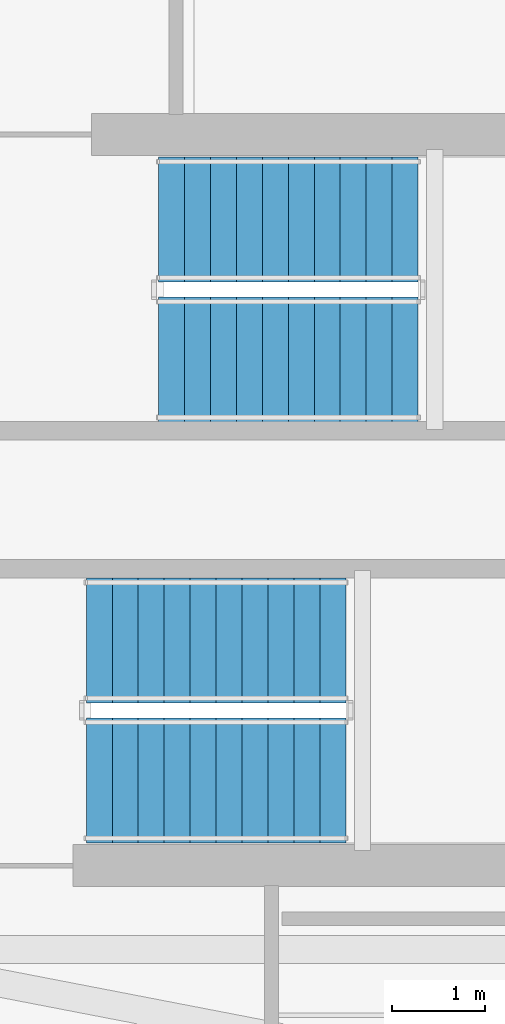
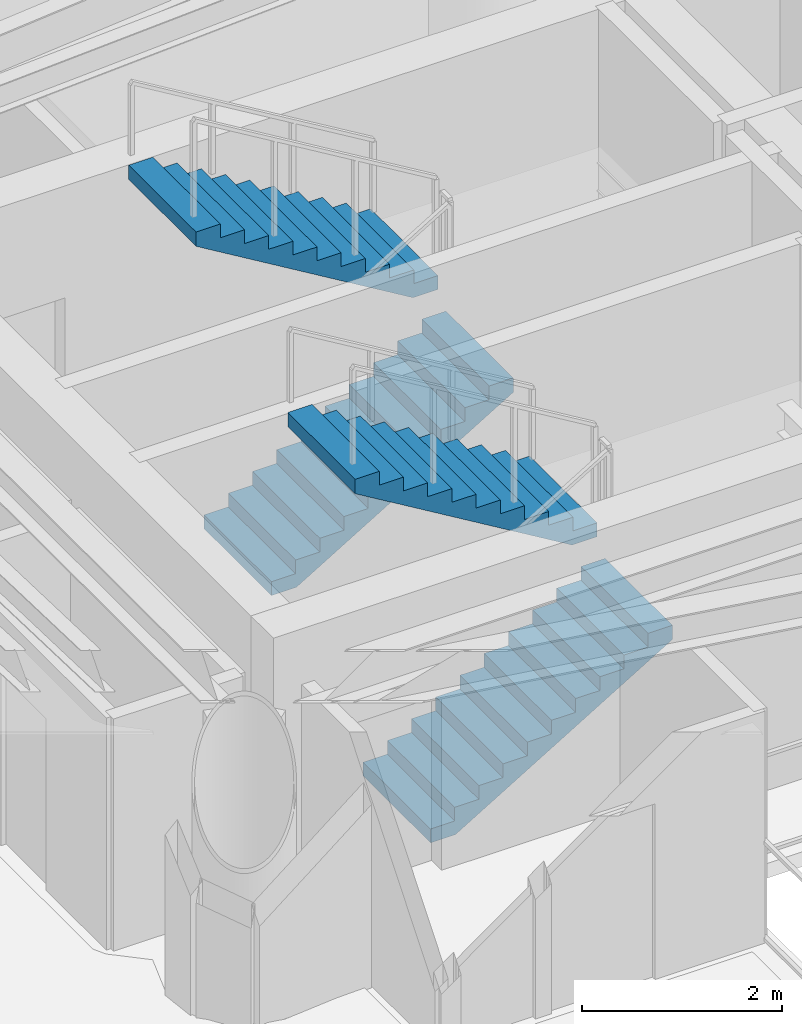
# One storey, part 17 of 21: 4 stair flights, 2 elements without a shape of their own.
"""IFC4 building model written with IfcOpenShell, lengths in metres."""

from ifc_helpers import new_model, si_unit, direction, frame, origin, place, context, subcontext, project, spatial, polyline, outline, extrude, material, type_object, element, aggregate, save


model = new_model("IFC4")

# Units and contexts
model_context = context("Model", 3, precision=1e-05, world=origin(), true_north=direction((0.0, 1.0)))
body_context = subcontext(model_context, "Body", "Model", "MODEL_VIEW")
ifc_project = project(units=[si_unit("LENGTHUNIT", "METRE"), si_unit("AREAUNIT", "SQUARE_METRE"), si_unit("VOLUMEUNIT", "CUBIC_METRE"), si_unit("PLANEANGLEUNIT", "RADIAN"), si_unit("MASSUNIT", "GRAM", prefix="KILO")], contexts=[model_context])

# Site, building, storey
site_placement = place(None, origin())
site = spatial("IfcSite", under=ifc_project, at=site_placement, CompositionType="ELEMENT")
building_placement = place(site_placement, origin())
building = spatial("IfcBuilding", under=site, at=building_placement, Name="Qianvela Tower", CompositionType="ELEMENT")
storey_placement = place(building_placement, frame((0.0, 0.0, 246.39990234375)))
storey = spatial("IfcBuildingStorey", under=building, at=storey_placement, Name="L63", CompositionType="ELEMENT", Elevation=246.39990234375)

# Stair, stair flights
ifc_material_1 = material(Name="Concrete C40", Category="concrete")
stair_type = type_object("IfcStairType", Name="ST-DOGLEG-1350-R168-N22", PredefinedType="HALF_TURN_STAIR", material=ifc_material_1)
stair_1_placement = place(storey_placement, origin())
stair_1 = element("IfcStair", 1, at=stair_1_placement, inside=storey, type_object=stair_type, Name="L63 Smoke-Proof Core Stair ST-1", PredefinedType="HALF_TURN_STAIR")
ifc_material_2 = material(Name="Concrete C40", Category="concrete")
stair_flight_type = type_object("IfcStairFlightType", Name="STF-STRAIGHT-R168-P11", PredefinedType="STRAIGHT", material=ifc_material_2)
stair_flight_1_placement = place(storey_placement, frame((32.199951171875, 30.215087890625, 0.0), z_axis=(0.0, 0.0, 1.0), x_axis=(1.0, 0.0, 0.0)))
stair_flight_1 = element("IfcStairFlight", 2, at=stair_flight_1_placement, type_object=stair_flight_type, Name="ST-1 flight 1", NumberOfRisers=11, NumberOfTreads=10, PredefinedType="STRAIGHT", RiserHeight=0.168181818, TreadLength=0.28, context=body_context, shape_type="SweptSolid", body=[
    extrude(outline(polyline([(0.0, 0.0), (0.0, 0.168212890625), (0.280029296875, 0.168212890625), (0.280029296875, 0.33642578125), (0.56005859375, 0.33642578125), (0.56005859375, 0.504638671875), (0.840087890625, 0.504638671875), (0.840087890625, 0.672607421875), (1.1201171875, 0.672607421875), (1.1201171875, 0.8408203125), (1.39990234375, 0.8408203125), (1.39990234375, 1.009033203125), (1.679931640625, 1.009033203125), (1.679931640625, 1.17724609375), (1.9599609375, 1.17724609375), (1.9599609375, 1.345458984375), (2.239990234375, 1.345458984375), (2.239990234375, 1.513671875), (2.52001953125, 1.513671875), (2.52001953125, 1.681884765625), (2.800048828125, 1.681884765625), (2.800048828125, 1.85009765625), (2.800048828125, 1.5068359375), (0.291015625, 0.0), (0.0, 0.0)])), frame((0.0, 0.675048828125, 0.0), z_axis=(0.0, -1.0, 0.0), x_axis=(1.0, 0.0, 0.0)), (0.0, 0.0, 1.0), 1.35009765625),
])
stair_flight_2_placement = place(storey_placement, frame((35.0, 31.72509765625, 1.85009765625), z_axis=(0.0, 0.0, 1.0), x_axis=(-1.0, 0.0, 0.0)))
stair_flight_2 = element("IfcStairFlight", 3, at=stair_flight_2_placement, type_object=stair_flight_type, Name="ST-1 flight 2", NumberOfRisers=11, NumberOfTreads=10, PredefinedType="STRAIGHT", RiserHeight=0.168181818, TreadLength=0.28, context=body_context, shape_type="SweptSolid", body=[
    extrude(outline(polyline([(0.0, 0.0), (0.0, 0.168212890625), (0.280029296875, 0.168212890625), (0.280029296875, 0.33642578125), (0.56005859375, 0.33642578125), (0.56005859375, 0.504638671875), (0.840087890625, 0.504638671875), (0.840087890625, 0.672607421875), (1.1201171875, 0.672607421875), (1.1201171875, 0.8408203125), (1.39990234375, 0.8408203125), (1.39990234375, 1.009033203125), (1.679931640625, 1.009033203125), (1.679931640625, 1.17724609375), (1.9599609375, 1.17724609375), (1.9599609375, 1.345458984375), (2.239990234375, 1.345458984375), (2.239990234375, 1.513671875), (2.52001953125, 1.513671875), (2.52001953125, 1.681884765625), (2.800048828125, 1.681884765625), (2.800048828125, 1.85009765625), (2.800048828125, 1.5068359375), (0.291015625, 0.0), (0.0, 0.0)])), frame((0.0, 0.675048828125, 0.0), z_axis=(0.0, -1.0, 0.0), x_axis=(1.0, 0.0, 0.0)), (0.0, 0.0, 1.0), 1.35009765625),
])
aggregate(stair_1, [stair_flight_1, stair_flight_2])

stair_2_placement = place(storey_placement, origin())
stair_2 = element("IfcStair", 4, at=stair_2_placement, inside=storey, type_object=stair_type, Name="L63 Smoke-Proof Core Stair ST-2", PredefinedType="HALF_TURN_STAIR")
stair_flight_3_placement = place(storey_placement, frame((31.419921875, 25.675048828125, 0.0), z_axis=(0.0, 0.0, 1.0), x_axis=(1.0, 0.0, 0.0)))
stair_flight_3 = element("IfcStairFlight", 5, at=stair_flight_3_placement, type_object=stair_flight_type, Name="ST-2 flight 1", NumberOfRisers=11, NumberOfTreads=10, PredefinedType="STRAIGHT", RiserHeight=0.168181818, TreadLength=0.28, context=body_context, shape_type="SweptSolid", body=[
    extrude(outline(polyline([(0.0, 0.0), (0.0, 0.168212890625), (0.280029296875, 0.168212890625), (0.280029296875, 0.33642578125), (0.56005859375, 0.33642578125), (0.56005859375, 0.504638671875), (0.840087890625, 0.504638671875), (0.840087890625, 0.672607421875), (1.1201171875, 0.672607421875), (1.1201171875, 0.8408203125), (1.39990234375, 0.8408203125), (1.39990234375, 1.009033203125), (1.679931640625, 1.009033203125), (1.679931640625, 1.17724609375), (1.9599609375, 1.17724609375), (1.9599609375, 1.345458984375), (2.239990234375, 1.345458984375), (2.239990234375, 1.513671875), (2.52001953125, 1.513671875), (2.52001953125, 1.681884765625), (2.800048828125, 1.681884765625), (2.800048828125, 1.85009765625), (2.800048828125, 1.5068359375), (0.291015625, 0.0), (0.0, 0.0)])), frame((0.0, 0.675048828125, 0.0), z_axis=(0.0, -1.0, 0.0), x_axis=(1.0, 0.0, 0.0)), (0.0, 0.0, 1.0), 1.35009765625),
])
stair_flight_4_placement = place(storey_placement, frame((34.219970703125, 27.18505859375, 1.85009765625), z_axis=(0.0, 0.0, 1.0), x_axis=(-1.0, 0.0, 0.0)))
stair_flight_4 = element("IfcStairFlight", 6, at=stair_flight_4_placement, type_object=stair_flight_type, Name="ST-2 flight 2", NumberOfRisers=11, NumberOfTreads=10, PredefinedType="STRAIGHT", RiserHeight=0.168181818, TreadLength=0.28, context=body_context, shape_type="SweptSolid", body=[
    extrude(outline(polyline([(0.0, 0.0), (0.0, 0.168212890625), (0.280029296875, 0.168212890625), (0.280029296875, 0.33642578125), (0.56005859375, 0.33642578125), (0.56005859375, 0.504638671875), (0.840087890625, 0.504638671875), (0.840087890625, 0.672607421875), (1.1201171875, 0.672607421875), (1.1201171875, 0.8408203125), (1.39990234375, 0.8408203125), (1.39990234375, 1.009033203125), (1.679931640625, 1.009033203125), (1.679931640625, 1.17724609375), (1.9599609375, 1.17724609375), (1.9599609375, 1.345458984375), (2.239990234375, 1.345458984375), (2.239990234375, 1.513671875), (2.52001953125, 1.513671875), (2.52001953125, 1.681884765625), (2.800048828125, 1.681884765625), (2.800048828125, 1.85009765625), (2.800048828125, 1.5068359375), (0.291015625, 0.0), (0.0, 0.0)])), frame((0.0, 0.675048828125, 0.0), z_axis=(0.0, -1.0, 0.0), x_axis=(1.0, 0.0, 0.0)), (0.0, 0.0, 1.0), 1.35009765625),
])
aggregate(stair_2, [stair_flight_3, stair_flight_4])

save(model, "model.ifc")
